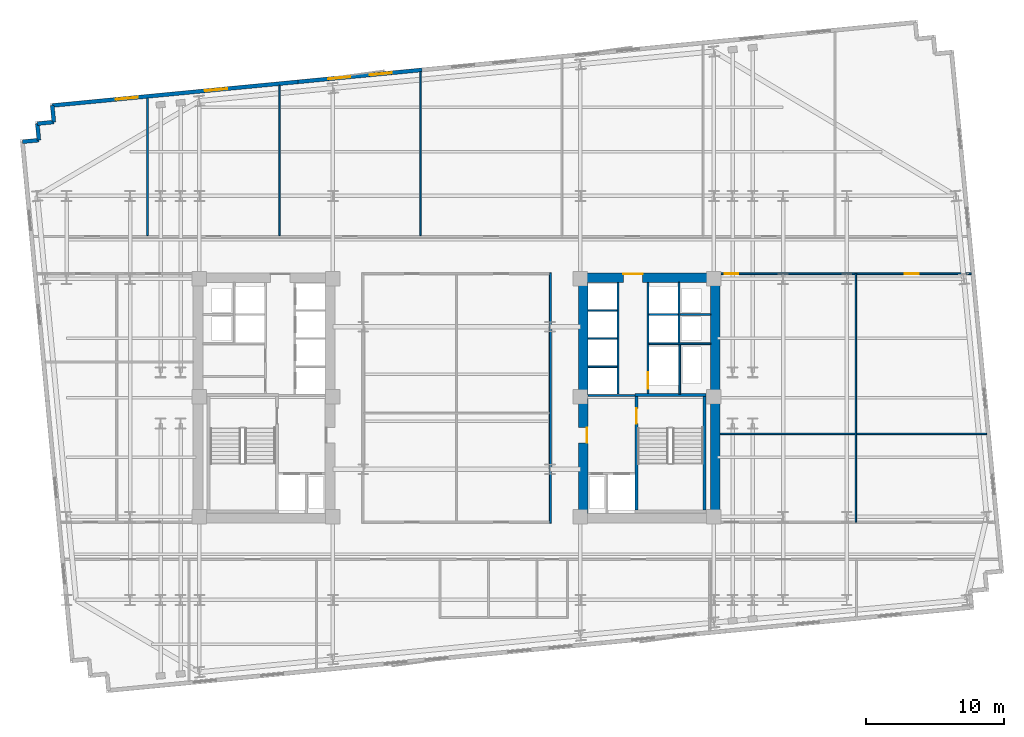
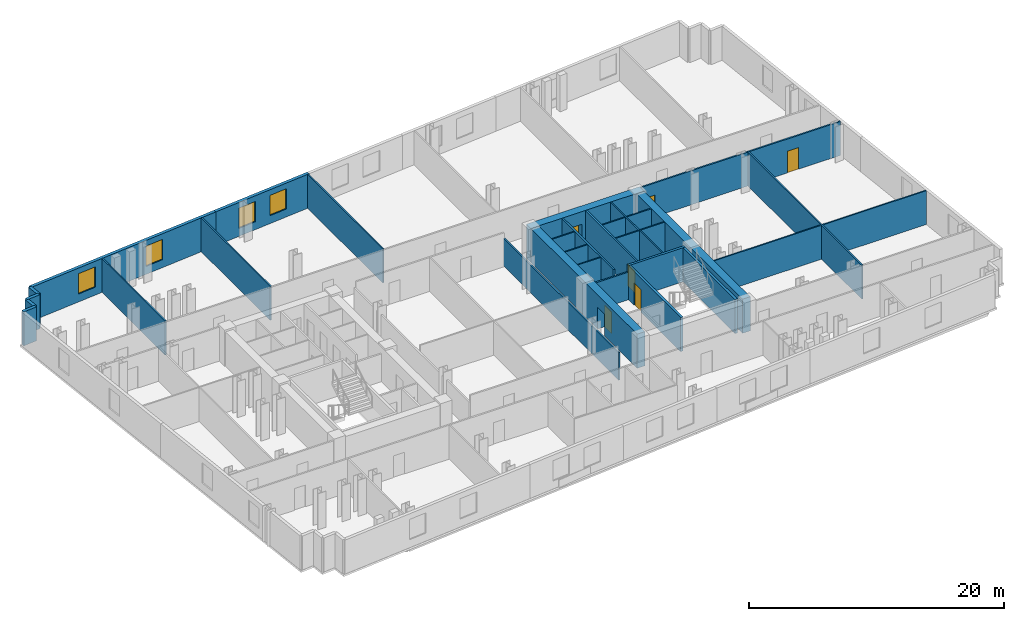
# One storey, part 7 of 11: 30 walls, 6 doors, 4 windows, 10 openings.
"""IFC4 building model written with IfcOpenShell, lengths in metres."""

from ifc_helpers import new_model, si_unit, direction, frame, frame_2d, origin, place, context, subcontext, project, spatial, rectangle, extrude, material, layer, layer_set, type_object, element, fill, save


model = new_model("IFC4")

# Units and contexts
model_context = context("Model", 3, precision=1e-05, world=origin(), true_north=direction((0.0, 1.0)))
body_context = subcontext(model_context, "Body", "Model", "MODEL_VIEW")
ifc_project = project(units=[si_unit("LENGTHUNIT", "METRE"), si_unit("AREAUNIT", "SQUARE_METRE"), si_unit("VOLUMEUNIT", "CUBIC_METRE"), si_unit("PLANEANGLEUNIT", "RADIAN"), si_unit("MASSUNIT", "GRAM", prefix="KILO")], contexts=[model_context])

# Site, building, storey
site_placement = place(None, origin())
site = spatial("IfcSite", under=ifc_project, at=site_placement, CompositionType="ELEMENT")
building_placement = place(site_placement, origin())
building = spatial("IfcBuilding", under=site, at=building_placement, Name="Velakula Bourse", CompositionType="ELEMENT")
storey_placement = place(building_placement, frame((0.0, 0.0, 101.800048828125)))
storey = spatial("IfcBuildingStorey", under=building, at=storey_placement, Name="L27", CompositionType="ELEMENT", Elevation=101.800048828125)

# Wall, opening, door
ifc_material_1 = material(Name="Concrete M50 (fck 50 MPa)", Category="concrete")
ifc_layer_1 = layer(ifc_material_1, 0.2099609375, Name="Concrete M50 (fck 50 MPa)", Category="concrete")
ifc_layer_set_1 = layer_set([ifc_layer_1], Name="Concrete M50 (fck 50 MPa)")
wall_type_1 = type_object("IfcWallType", Name="WL-CORE-210", PredefinedType="SHEAR", material=ifc_layer_set_1)
wall_1_placement = place(storey_placement, frame((12.9951171875, -8.10009765625, 0.0), z_axis=(0.0, 0.0, 1.0), x_axis=(0.0, 1.0, 0.0)))
wall_1 = element("IfcWall", 1, at=wall_1_placement, inside=storey, type_object=wall_type_1, Name="L27 Core E Stairwell Shear Wall IN", PredefinedType="SHEAR", context=body_context, shape_type="SweptSolid", body=[
    extrude(rectangle(XDim=8.2001953125, YDim=0.2099609375, at=frame_2d((4.10009765625, 0.0))), origin(), (0.0, 0.0, 1.0), 3.27001953125),
])
opening_1_placement = place(wall_1_placement, frame((6.25, 0.0, 0.0)))
opening_1 = element("IfcOpeningElement", 2, at=opening_1_placement, cuts=wall_1, Name="Opening D-STE1", PredefinedType="OPENING", context=body_context, shape_type="SweptSolid", body=[
    extrude(rectangle(XDim=1.10009765625, YDim=2.14990234375, at=frame_2d((0.550048828125, 1.074951171875))), frame((0.0, 0.114990234375, 0.0), z_axis=(0.0, -1.0, 0.0), x_axis=(1.0, 0.0, 0.0)), (0.0, 0.0, 1.0), 0.22998046875),
])
ifc_material_2 = material(Name="Galvanised painted hollow steel fire door", Category="steel")
door_type_1 = type_object("IfcDoorType", Name="DR-FD120-1100x2150", OperationType="NOTDEFINED", PredefinedType="DOOR", material=ifc_material_2)
door_1_placement = place(opening_1_placement, origin())
door_1 = element("IfcDoor", 3, at=door_1_placement, inside=storey, type_object=door_type_1, Name="L27 Stair ST-E1 Fire Door", OperationType="SINGLE_SWING_RIGHT", OverallHeight=2.14990234375, OverallWidth=1.10009765625, PredefinedType="DOOR", context=body_context, shape_type="SweptSolid", body=[
    extrude(rectangle(XDim=1.10009765625, YDim=2.14990234375, at=frame_2d((0.550048828125, 1.074951171875))), frame((0.0, 0.02490234375, 0.0), z_axis=(0.0, -1.0, 0.0), x_axis=(1.0, 0.0, 0.0)), (0.0, 0.0, 1.0), 0.050048828125),
])
fill(opening_1, door_1)

# Walls
wall_2_placement = place(storey_placement, frame((17.925048828125, -8.10009765625, 0.0), z_axis=(0.0, 0.0, 1.0), x_axis=(0.0, 1.0, 0.0)))
element("IfcWall", 4, at=wall_2_placement, inside=storey, type_object=wall_type_1, Name="L27 Core E Stairwell Shear Wall OUT", PredefinedType="SHEAR", context=body_context, shape_type="SweptSolid", body=[
    extrude(rectangle(XDim=8.2001953125, YDim=0.2099609375, at=frame_2d((4.10009765625, 0.0))), origin(), (0.0, 0.0, 1.0), 3.27001953125),
])
wall_3_placement = place(storey_placement, frame((18.030029296875, 0.205078125, 0.0), z_axis=(0.0, 0.0, 1.0), x_axis=(-1.0, 0.0, 0.0)))
element("IfcWall", 5, at=wall_3_placement, inside=storey, type_object=wall_type_1, Name="L27 Core E Stairwell Shear Wall N", PredefinedType="SHEAR", context=body_context, shape_type="SweptSolid", body=[
    extrude(rectangle(XDim=5.14013671875, YDim=0.2099609375, at=frame_2d((2.570068359375, 0.0))), origin(), (0.0, 0.0, 1.0), 3.27001953125),
])

# Wall, opening, door
ifc_material_3 = material(Name="Concrete M70 (fck 70 MPa)", Category="concrete")
ifc_layer_2 = layer(ifc_material_3, 0.699951171875, Name="Concrete M70 (fck 70 MPa)", Category="concrete")
ifc_layer_set_2 = layer_set([ifc_layer_2], Name="Concrete M70 (fck 70 MPa)")
wall_type_2 = type_object("IfcWallType", Name="WL-CORE-700", PredefinedType="SHEAR", material=ifc_layer_set_2)
wall_4_placement = place(storey_placement, frame((8.800048828125, 8.699951171875, 0.0), z_axis=(0.0, 0.0, 1.0), x_axis=(1.0, 0.0, 0.0)))
wall_4 = element("IfcWall", 6, at=wall_4_placement, inside=storey, type_object=wall_type_2, Name="L27 Core E Shear Wall N", PredefinedType="SHEAR", context=body_context, shape_type="SweptSolid", body=[
    extrude(rectangle(XDim=10.25, YDim=0.699951171875, at=frame_2d((5.125, 0.0))), origin(), (0.0, 0.0, 1.0), 3.27001953125),
])
opening_2_placement = place(wall_4_placement, frame((3.25, 0.0, 0.0)))
opening_2 = element("IfcOpeningElement", 7, at=opening_2_placement, cuts=wall_4, Name="Opening D-LLE", PredefinedType="OPENING", context=body_context, shape_type="SweptSolid", body=[
    extrude(rectangle(XDim=1.39990234375, YDim=2.050048828125, at=frame_2d((0.699951171875, 1.02490234375))), frame((0.0, 0.35986328125, 0.0), z_axis=(0.0, -1.0, 0.0), x_axis=(1.0, 0.0, 0.0)), (0.0, 0.0, 1.0), 0.719970703125),
])
ifc_material_4 = material(Name="Fire-rated hardwood flush architectural door", Category="wood")
door_type_2 = type_object("IfcDoorType", Name="DR-DBL-FD60-1400", OperationType="DOUBLE_DOOR_SINGLE_SWING", PredefinedType="DOOR", material=ifc_material_4)
door_2_placement = place(opening_2_placement, origin())
door_2 = element("IfcDoor", 8, at=door_2_placement, inside=storey, type_object=door_type_2, Name="L27 Core E Lift Lobby Corridor Double Door", OperationType="DOUBLE_DOOR_SINGLE_SWING", OverallHeight=2.050048828125, OverallWidth=1.39990234375, PredefinedType="DOOR", context=body_context, shape_type="SweptSolid", body=[
    extrude(rectangle(XDim=1.39990234375, YDim=2.050048828125, at=frame_2d((0.699951171875, 1.02490234375))), frame((0.0, 0.294921875, 0.0), z_axis=(0.0, -1.0, 0.0), x_axis=(1.0, 0.0, 0.0)), (0.0, 0.0, 1.0), 0.050048828125),
])
fill(opening_2, door_2)

wall_5_placement = place(storey_placement, frame((9.14990234375, -8.35009765625, 0.0), z_axis=(0.0, 0.0, 1.0), x_axis=(0.0, 1.0, 0.0)))
wall_5 = element("IfcWall", 9, at=wall_5_placement, inside=storey, type_object=wall_type_2, Name="L27 Core E Shear Wall W", PredefinedType="SHEAR", context=body_context, shape_type="SweptSolid", body=[
    extrude(rectangle(XDim=16.7001953125, YDim=0.699951171875, at=frame_2d((8.35009765625, 0.0))), origin(), (0.0, 0.0, 1.0), 3.27001953125),
])
opening_3_placement = place(wall_5_placement, frame((5.10009765625, 0.0, 0.0)))
opening_3 = element("IfcOpeningElement", 10, at=opening_3_placement, cuts=wall_5, Name="Opening D-FLE", PredefinedType="OPENING", context=body_context, shape_type="SweptSolid", body=[
    extrude(rectangle(XDim=1.10009765625, YDim=2.080078125, at=frame_2d((0.550048828125, 1.0400390625))), frame((0.0, 0.35986328125, 0.0), z_axis=(0.0, -1.0, 0.0), x_axis=(1.0, 0.0, 0.0)), (0.0, 0.0, 1.0), 0.719970703125),
])
door_type_3 = type_object("IfcDoorType", Name="DR-FD120-1100", OperationType="NOTDEFINED", PredefinedType="DOOR", material=ifc_material_2)
door_3_placement = place(opening_3_placement, origin())
door_3 = element("IfcDoor", 11, at=door_3_placement, inside=storey, type_object=door_type_3, Name="L27 Firefighting Lobby E Corridor Fire Door", OperationType="SINGLE_SWING_RIGHT", OverallHeight=2.080078125, OverallWidth=1.10009765625, PredefinedType="DOOR", context=body_context, shape_type="SweptSolid", body=[
    extrude(rectangle(XDim=1.10009765625, YDim=2.080078125, at=frame_2d((0.550048828125, 1.0400390625))), frame((0.0, -0.2548828125, 0.0), z_axis=(0.0, -1.0, 0.0), x_axis=(1.0, 0.0, 0.0)), (0.0, 0.0, 1.0), 0.050048828125),
])
fill(opening_3, door_3)

# Wall
wall_6_placement = place(storey_placement, frame((18.699951171875, -8.35009765625, 0.0), z_axis=(0.0, 0.0, 1.0), x_axis=(0.0, 1.0, 0.0)))
element("IfcWall", 12, at=wall_6_placement, inside=storey, type_object=wall_type_2, Name="L27 Core E Shear Wall E", PredefinedType="SHEAR", context=body_context, shape_type="SweptSolid", body=[
    extrude(rectangle(XDim=16.7001953125, YDim=0.699951171875, at=frame_2d((8.35009765625, 0.0))), origin(), (0.0, 0.0, 1.0), 3.27001953125),
])

# Wall, openings, windows
ifc_material_5 = material(Name="Red kilned clay facing brick masonry", Category="masonry")
ifc_layer_3 = layer(ifc_material_5, 0.280029296875, Name="Red kilned clay facing brick masonry", Category="masonry")
ifc_layer_set_3 = layer_set([ifc_layer_3], Name="Red kilned clay facing brick masonry")
wall_type_3 = type_object("IfcWallType", Name="WL-EXT-BRK-280", PredefinedType="STANDARD", material=ifc_layer_set_3)
wall_7_placement = place(storey_placement, frame((-29.2314453125, 21.138427734375, 0.0), z_axis=(0.0, 0.0, 1.0), x_axis=(0.995395780835, 0.095850088663, 0.0)))
wall_7 = element("IfcWall", 13, at=wall_7_placement, inside=storey, type_object=wall_type_3, Name="L27 N Brick Spandrel Wall B1", PredefinedType="STANDARD", context=body_context, shape_type="SweptSolid", body=[
    extrude(rectangle(XDim=17.83984375, YDim=0.280029296875, at=frame_2d((8.919921875, 0.0))), origin(), (0.0, 0.0, 1.0), 3.25),
])
opening_4_placement = place(wall_7_placement, frame((4.5966796875, 0.0, 0.760009765625)))
opening_4 = element("IfcOpeningElement", 14, at=opening_4_placement, cuts=wall_7, Name="Opening W-02", PredefinedType="OPENING", context=body_context, shape_type="SweptSolid", body=[
    extrude(rectangle(XDim=1.60009765625, YDim=1.949951171875, at=frame_2d((0.800048828125, 0.97509765625))), frame((0.0, 0.14990234375, 0.0), z_axis=(0.0, -1.0, 0.0), x_axis=(1.0, 0.0, 0.0)), (0.0, 0.0, 1.0), 0.300048828125),
])
opening_5_placement = place(wall_7_placement, frame((11.09326171875, 0.0, 0.760009765625)))
opening_5 = element("IfcOpeningElement", 15, at=opening_5_placement, cuts=wall_7, Name="Opening W-02", PredefinedType="OPENING", context=body_context, shape_type="SweptSolid", body=[
    extrude(rectangle(XDim=1.60009765625, YDim=1.949951171875, at=frame_2d((0.800048828125, 0.97509765625))), frame((0.0, 0.14990234375, 0.0), z_axis=(0.0, -1.0, 0.0), x_axis=(1.0, 0.0, 0.0)), (0.0, 0.0, 1.0), 0.300048828125),
])
ifc_material_6 = material(Name="Double-glazed solar-control Low-E glass", Category="glass")
window_type = type_object("IfcWindowType", Name="WIN-TWR-1600x2100", PartitioningType="SINGLE_PANEL", PredefinedType="WINDOW", material=ifc_material_6)
window_1_placement = place(opening_4_placement, origin())
window_1 = element("IfcWindow", 16, at=window_1_placement, inside=storey, type_object=window_type, Name="L27 Deep-Set Recessed Window 1", OverallHeight=1.949951171875, OverallWidth=1.60009765625, PartitioningType="SINGLE_PANEL", PredefinedType="WINDOW", context=body_context, shape_type="SweptSolid", body=[
    extrude(rectangle(XDim=1.60009765625, YDim=1.949951171875, at=frame_2d((0.800048828125, 0.97509765625))), frame((0.0, 0.030029296875, 0.0), z_axis=(0.0, -1.0, 0.0), x_axis=(1.0, 0.0, 0.0)), (0.0, 0.0, 1.0), 0.06005859375),
])
fill(opening_4, window_1)
window_2_placement = place(opening_5_placement, origin())
window_2 = element("IfcWindow", 17, at=window_2_placement, inside=storey, type_object=window_type, Name="L27 Deep-Set Recessed Window 2", OverallHeight=1.949951171875, OverallWidth=1.60009765625, PartitioningType="SINGLE_PANEL", PredefinedType="WINDOW", context=body_context, shape_type="SweptSolid", body=[
    extrude(rectangle(XDim=1.60009765625, YDim=1.949951171875, at=frame_2d((0.800048828125, 0.97509765625))), frame((0.0, 0.030029296875, 0.0), z_axis=(0.0, -1.0, 0.0), x_axis=(1.0, 0.0, 0.0)), (0.0, 0.0, 1.0), 0.06005859375),
])
fill(opening_5, window_2)

wall_8_placement = place(storey_placement, frame((-11.4736328125, 22.848388671875, 0.0), z_axis=(0.0, 0.0, 1.0), x_axis=(0.995396794462, 0.09583956164, 0.0)))
wall_8 = element("IfcWall", 18, at=wall_8_placement, inside=storey, type_object=wall_type_3, Name="L27 N Brick Spandrel Wall B2", PredefinedType="STANDARD", context=body_context, shape_type="SweptSolid", body=[
    extrude(rectangle(XDim=9.0, YDim=0.280029296875, at=frame_2d((4.5, 0.0))), origin(), (0.0, 0.0, 1.0), 3.25),
])
opening_6_placement = place(wall_8_placement, frame((2.199951171875, 0.0, 0.760009765625)))
opening_6 = element("IfcOpeningElement", 19, at=opening_6_placement, cuts=wall_8, Name="Opening W-02", PredefinedType="OPENING", context=body_context, shape_type="SweptSolid", body=[
    extrude(rectangle(XDim=1.60009765625, YDim=1.949951171875, at=frame_2d((0.800048828125, 0.97509765625))), frame((0.0, 0.14990234375, 0.0), z_axis=(0.0, -1.0, 0.0), x_axis=(1.0, 0.0, 0.0)), (0.0, 0.0, 1.0), 0.300048828125),
])
opening_7_placement = place(wall_8_placement, frame((5.199951171875, 0.0, 0.760009765625)))
opening_7 = element("IfcOpeningElement", 20, at=opening_7_placement, cuts=wall_8, Name="Opening W-02", PredefinedType="OPENING", context=body_context, shape_type="SweptSolid", body=[
    extrude(rectangle(XDim=1.60009765625, YDim=1.949951171875, at=frame_2d((0.800048828125, 0.97509765625))), frame((0.0, 0.14990234375, 0.0), z_axis=(0.0, -1.0, 0.0), x_axis=(1.0, 0.0, 0.0)), (0.0, 0.0, 1.0), 0.300048828125),
])
window_3_placement = place(opening_6_placement, origin())
window_3 = element("IfcWindow", 21, at=window_3_placement, inside=storey, type_object=window_type, Name="L27 Deep-Set Recessed Window 1", OverallHeight=1.949951171875, OverallWidth=1.60009765625, PartitioningType="SINGLE_PANEL", PredefinedType="WINDOW", context=body_context, shape_type="SweptSolid", body=[
    extrude(rectangle(XDim=1.60009765625, YDim=1.949951171875, at=frame_2d((0.800048828125, 0.97509765625))), frame((0.0, 0.030029296875, 0.0), z_axis=(0.0, -1.0, 0.0), x_axis=(1.0, 0.0, 0.0)), (0.0, 0.0, 1.0), 0.06005859375),
])
fill(opening_6, window_3)
window_4_placement = place(opening_7_placement, origin())
window_4 = element("IfcWindow", 22, at=window_4_placement, inside=storey, type_object=window_type, Name="L27 Deep-Set Recessed Window 2", OverallHeight=1.949951171875, OverallWidth=1.60009765625, PartitioningType="SINGLE_PANEL", PredefinedType="WINDOW", context=body_context, shape_type="SweptSolid", body=[
    extrude(rectangle(XDim=1.60009765625, YDim=1.949951171875, at=frame_2d((0.800048828125, 0.97509765625))), frame((0.0, 0.030029296875, 0.0), z_axis=(0.0, -1.0, 0.0), x_axis=(1.0, 0.0, 0.0)), (0.0, 0.0, 1.0), 0.06005859375),
])
fill(opening_7, window_4)

# Walls
for number, where, z_axis, x_axis, name in (
    (23, (-29.2314453125, 21.138427734375, 0.0), (0.0, 0.0, 1.0), (0.095817067274, -0.995398960025, 0.0), "L27 Serrated Corner Brick Wall NW-1"),
    (24, (-29.116455078125, 19.94384765625, 0.0), (0.0, 0.0, 1.0), (-0.995398960025, -0.095817067274, 0.0), "L27 Serrated Corner Brick Wall NW-2"),
):
    element("IfcWall", number, at=place(storey_placement, frame(where, z_axis=z_axis, x_axis=x_axis)), inside=storey, type_object=wall_type_3, Name=name, PredefinedType="STANDARD", context=body_context, shape_type="SweptSolid", body=[
        extrude(rectangle(XDim=1.2001953125, YDim=0.280029296875, at=frame_2d((0.60009765625, 0.0))), origin(), (0.0, 0.0, 1.0), 3.25),
    ])
for number, where, z_axis, x_axis, name in (
    (25, (-30.31103515625, 19.828857421875, 0.0), (0.0, 0.0, 1.0), (0.095836473879, -0.995397091755, 0.0), "L27 Serrated Corner Brick Wall NW-3"),
    (26, (-30.196044921875, 18.634521484375, 0.0), (0.0, 0.0, 1.0), (-0.995397091755, -0.095836473879, 0.0), "L27 Serrated Corner Brick Wall NW-4"),
):
    element("IfcWall", number, at=place(storey_placement, frame(where, z_axis=z_axis, x_axis=x_axis)), inside=storey, type_object=wall_type_3, Name=name, PredefinedType="STANDARD", context=body_context, shape_type="SweptSolid", body=[
        extrude(rectangle(XDim=1.199951171875, YDim=0.280029296875, at=frame_2d((0.60009765625, 0.0))), origin(), (0.0, 0.0, 1.0), 3.25),
    ])
ifc_material_7 = material(Name="Fire-rated double-layer gypsum drywall partition", Category="gypsum")
ifc_layer_4 = layer(ifc_material_7, 0.1201171875, Name="Fire-rated double-layer gypsum drywall partition", Category="gypsum")
ifc_layer_set_4 = layer_set([ifc_layer_4], Name="Fire-rated double-layer gypsum drywall partition")
wall_type_4 = type_object("IfcWallType", Name="WL-PART-120", PredefinedType="STANDARD", material=ifc_layer_set_4)
for number, where, z_axis, x_axis, name in (
    (27, (9.5, 2.2548828125, 0.0), (0.0, 0.0, 1.0), (1.0, 0.0, 0.0), "L27 Interior Partition WL-CRE-L27-BDIV-0"),
    (28, (9.5, 4.284912109375, 0.0), (0.0, 0.0, 1.0), (1.0, 0.0, 0.0), "L27 Interior Partition WL-CRE-L27-BDIV-1"),
    (29, (9.5, 6.31494140625, 0.0), (0.0, 0.0, 1.0), (1.0, 0.0, 0.0), "L27 Interior Partition WL-CRE-L27-BDIV-2"),
):
    element("IfcWall", number, at=place(storey_placement, frame(where, z_axis=z_axis, x_axis=x_axis)), inside=storey, type_object=wall_type_4, Name=name, PredefinedType="STANDARD", context=body_context, shape_type="SweptSolid", body=[
        extrude(rectangle(XDim=2.10009765625, YDim=0.110107421875, at=frame_2d((1.050048828125, 0.0))), origin(), (0.0, 0.0, 1.0), 3.25),
    ])
wall_9_placement = place(storey_placement, frame((13.89990234375, 3.919921875, 0.0), z_axis=(0.0, 0.0, 1.0), x_axis=(1.0, 0.0, 0.0)))
element("IfcWall", 30, at=wall_9_placement, inside=storey, type_object=wall_type_4, Name="L27 Interior Partition WL-CRE-L27-HI-S", PredefinedType="STANDARD", context=body_context, shape_type="SweptSolid", body=[
    extrude(rectangle(XDim=4.4501953125, YDim=0.1201171875, at=frame_2d((2.22509765625, 0.0))), origin(), (0.0, 0.0, 1.0), 3.25),
])
wall_10_placement = place(storey_placement, frame((16.14990234375, 6.030029296875, 0.0), z_axis=(0.0, 0.0, 1.0), x_axis=(1.0, 0.0, 0.0)))
element("IfcWall", 31, at=wall_10_placement, inside=storey, type_object=wall_type_4, Name="L27 Interior Partition WL-CRE-L27-RIS-MID", PredefinedType="STANDARD", context=body_context, shape_type="SweptSolid", body=[
    extrude(rectangle(XDim=2.2001953125, YDim=0.1201171875, at=frame_2d((1.10009765625, 0.0))), origin(), (0.0, 0.0, 1.0), 3.25),
])
wall_11_placement = place(storey_placement, frame((16.074951171875, 3.97998046875, 0.0), z_axis=(0.0, 0.0, 1.0), x_axis=(0.0, 1.0, 0.0)))
element("IfcWall", 32, at=wall_11_placement, inside=storey, type_object=wall_type_4, Name="L27 Interior Partition WL-CRE-L27-RIS-F", PredefinedType="STANDARD", context=body_context, shape_type="SweptSolid", body=[
    extrude(rectangle(XDim=4.3701171875, YDim=0.1201171875, at=frame_2d((2.18505859375, 0.0))), origin(), (0.0, 0.0, 1.0), 3.25),
])
wall_12_placement = place(storey_placement, frame((13.89990234375, 6.030029296875, 0.0), z_axis=(0.0, 0.0, 1.0), x_axis=(1.0, 0.0, 0.0)))
element("IfcWall", 33, at=wall_12_placement, inside=storey, type_object=wall_type_4, Name="L27 Interior Partition WL-CRE-L27-HI-DIV", PredefinedType="STANDARD", context=body_context, shape_type="SweptSolid", body=[
    extrude(rectangle(XDim=2.10009765625, YDim=0.1201171875, at=frame_2d((1.050048828125, 0.0))), origin(), (0.0, 0.0, 1.0), 3.25),
])
wall_13_placement = place(storey_placement, frame((16.125, 0.27001953125, 0.0), z_axis=(0.0, 0.0, 1.0), x_axis=(0.0, 1.0, 0.0)))
element("IfcWall", 34, at=wall_13_placement, inside=storey, type_object=wall_type_4, Name="L27 Interior Partition WL-CRE-L27-SVL-E", PredefinedType="STANDARD", context=body_context, shape_type="SweptSolid", body=[
    extrude(rectangle(XDim=3.590087890625, YDim=0.1201171875, at=frame_2d((1.794921875, 0.0))), origin(), (0.0, 0.0, 1.0), 3.25),
])
wall_14_placement = place(storey_placement, frame((-22.344970703125, 11.739990234375, 0.0), z_axis=(0.0, 0.0, 1.0), x_axis=(0.0, 1.0, 0.0)))
element("IfcWall", 35, at=wall_14_placement, inside=storey, type_object=wall_type_4, Name="L27 Interior Partition WL-INT-L27-N-D1", PredefinedType="STANDARD", context=body_context, shape_type="SweptSolid", body=[
    extrude(rectangle(XDim=9.94091796875, YDim=0.1201171875, at=frame_2d((4.970458984375, 0.0))), origin(), (0.0, 0.0, 1.0), 3.25),
])
wall_15_placement = place(storey_placement, frame((-12.81591796875, 11.739990234375, 0.0), z_axis=(0.0, 0.0, 1.0), x_axis=(0.0, 1.0, 0.0)))
element("IfcWall", 36, at=wall_15_placement, inside=storey, type_object=wall_type_4, Name="L27 Interior Partition WL-INT-L27-N-D2", PredefinedType="STANDARD", context=body_context, shape_type="SweptSolid", body=[
    extrude(rectangle(XDim=10.8583984375, YDim=0.1201171875, at=frame_2d((5.42919921875, 0.0))), origin(), (0.0, 0.0, 1.0), 3.25),
])
wall_16_placement = place(storey_placement, frame((-2.60595703125, 11.739990234375, 0.0), z_axis=(0.0, 0.0, 1.0), x_axis=(0.0, 1.0, 0.0)))
element("IfcWall", 37, at=wall_16_placement, inside=storey, type_object=wall_type_4, Name="L27 Interior Partition WL-INT-L27-N-D3", PredefinedType="STANDARD", context=body_context, shape_type="SweptSolid", body=[
    extrude(rectangle(XDim=11.841552734375, YDim=0.1201171875, at=frame_2d((5.9208984375, 0.0))), origin(), (0.0, 0.0, 1.0), 3.25),
])
wall_17_placement = place(storey_placement, frame((19.050048828125, -2.60009765625, 0.0), z_axis=(0.0, 0.0, 1.0), x_axis=(1.0, 0.0, 0.0)))
element("IfcWall", 38, at=wall_17_placement, inside=storey, type_object=wall_type_4, Name="L27 Interior Partition WL-INT-L27-E-H", PredefinedType="STANDARD", context=body_context, shape_type="SweptSolid", body=[
    extrude(rectangle(XDim=19.2646484375, YDim=0.1201171875, at=frame_2d((9.63232421875, 0.0))), origin(), (0.0, 0.0, 1.0), 3.25),
])
wall_18_placement = place(storey_placement, frame((28.85888671875, -8.97998046875, 0.0), z_axis=(0.0, 0.0, 1.0), x_axis=(0.0, 1.0, 0.0)))
element("IfcWall", 39, at=wall_18_placement, inside=storey, type_object=wall_type_4, Name="L27 Interior Partition WL-INT-L27-E-V1", PredefinedType="STANDARD", context=body_context, shape_type="SweptSolid", body=[
    extrude(rectangle(XDim=17.9599609375, YDim=0.1201171875, at=frame_2d((8.97998046875, 0.0))), origin(), (0.0, 0.0, 1.0), 3.25),
])

# Wall, openings, doors
ifc_layer_5 = layer(ifc_material_7, 0.139892578125, Name="Fire-rated double-layer gypsum drywall partition", Category="gypsum")
ifc_layer_set_5 = layer_set([ifc_layer_5], Name="Fire-rated double-layer gypsum drywall partition")
wall_type_5 = type_object("IfcWallType", Name="WL-PART-140", PredefinedType="STANDARD", material=ifc_layer_set_5)
wall_19_placement = place(storey_placement, frame((19.050048828125, 8.97998046875, 0.0), z_axis=(0.0, 0.0, 1.0), x_axis=(1.0, 0.0, 0.0)))
wall_19 = element("IfcWall", 40, at=wall_19_placement, inside=storey, type_object=wall_type_5, Name="L27 Interior Partition WL-INT-L27-E-NC", PredefinedType="STANDARD", context=body_context, shape_type="SweptSolid", body=[
    extrude(rectangle(XDim=18.149658203125, YDim=0.139892578125, at=frame_2d((9.07470703125, 0.0))), origin(), (0.0, 0.0, 1.0), 3.25),
])
opening_8_placement = place(wall_19_placement, frame((0.320068359375, 0.0, 0.0)))
opening_8 = element("IfcOpeningElement", 41, at=opening_8_placement, cuts=wall_19, Name="Opening D-OF1", PredefinedType="OPENING", context=body_context, shape_type="SweptSolid", body=[
    extrude(rectangle(XDim=1.0, YDim=2.080078125, at=frame_2d((0.5, 1.0400390625))), frame((0.0, 0.079833984375, 0.0), z_axis=(0.0, -1.0, 0.0), x_axis=(1.0, 0.0, 0.0)), (0.0, 0.0, 1.0), 0.159912109375),
])
opening_9_placement = place(wall_19_placement, frame((13.349365234375, 0.0, 0.0)))
opening_9 = element("IfcOpeningElement", 42, at=opening_9_placement, cuts=wall_19, Name="Opening D-OF1", PredefinedType="OPENING", context=body_context, shape_type="SweptSolid", body=[
    extrude(rectangle(XDim=1.0, YDim=2.080078125, at=frame_2d((0.5, 1.0400390625))), frame((0.0, 0.079833984375, 0.0), z_axis=(0.0, -1.0, 0.0), x_axis=(1.0, 0.0, 0.0)), (0.0, 0.0, 1.0), 0.159912109375),
])
door_type_4 = type_object("IfcDoorType", Name="DR-OFF-1000", OperationType="NOTDEFINED", PredefinedType="DOOR", material=ifc_material_4)
door_4_placement = place(opening_8_placement, origin())
door_4 = element("IfcDoor", 43, at=door_4_placement, inside=storey, type_object=door_type_4, Name="L27 Margin Control Office Door", OperationType="SINGLE_SWING_LEFT", OverallHeight=2.080078125, OverallWidth=1.0, PredefinedType="DOOR", context=body_context, shape_type="SweptSolid", body=[
    extrude(rectangle(XDim=1.0, YDim=2.080078125, at=frame_2d((0.5, 1.0400390625))), frame((0.0, 0.02490234375, 0.0), z_axis=(0.0, -1.0, 0.0), x_axis=(1.0, 0.0, 0.0)), (0.0, 0.0, 1.0), 0.050048828125),
])
fill(opening_8, door_4)
door_5_placement = place(opening_9_placement, origin())
door_5 = element("IfcDoor", 44, at=door_5_placement, inside=storey, type_object=door_type_4, Name="L27 Listing Committee Chamber Door", OperationType="SINGLE_SWING_RIGHT", OverallHeight=2.080078125, OverallWidth=1.0, PredefinedType="DOOR", context=body_context, shape_type="SweptSolid", body=[
    extrude(rectangle(XDim=1.0, YDim=2.080078125, at=frame_2d((0.5, 1.0400390625))), frame((0.0, 0.02490234375, 0.0), z_axis=(0.0, -1.0, 0.0), x_axis=(1.0, 0.0, 0.0)), (0.0, 0.0, 1.0), 0.050048828125),
])
fill(opening_9, door_5)

# Walls
wall_20_placement = place(storey_placement, frame((6.780029296875, -9.050048828125, 0.0), z_axis=(0.0, 0.0, 1.0), x_axis=(0.0, 1.0, 0.0)))
element("IfcWall", 45, at=wall_20_placement, inside=storey, type_object=wall_type_5, Name="L27 Interior Partition WL-INT-L27-MID-E", PredefinedType="STANDARD", context=body_context, shape_type="SweptSolid", body=[
    extrude(rectangle(XDim=18.10009765625, YDim=0.139892578125, at=frame_2d((9.050048828125, 0.0))), origin(), (0.0, 0.0, 1.0), 2.64501953125),
])
ifc_material_8 = material(Name="Autoclaved aerated concrete blockwork masonry", Category="masonry")
ifc_layer_6 = layer(ifc_material_8, 0.14990234375, Name="Autoclaved aerated concrete blockwork masonry", Category="masonry")
ifc_layer_set_6 = layer_set([ifc_layer_6], Name="Autoclaved aerated concrete blockwork masonry")
wall_type_6 = type_object("IfcWallType", Name="WL-SHAFT-150", PredefinedType="STANDARD", material=ifc_layer_set_6)
wall_21_placement = place(storey_placement, frame((9.5, 0.18994140625, 0.0), z_axis=(0.0, 0.0, 1.0), x_axis=(1.0, 0.0, 0.0)))
element("IfcWall", 46, at=wall_21_placement, inside=storey, type_object=wall_type_6, Name="L27 Interior Partition WL-CRE-L27-FF-TOP", PredefinedType="STANDARD", context=body_context, shape_type="SweptSolid", body=[
    extrude(rectangle(XDim=3.389892578125, YDim=0.14990234375, at=frame_2d((1.69482421875, 0.0))), origin(), (0.0, 0.0, 1.0), 2.64501953125),
])
wall_22_placement = place(storey_placement, frame((11.675048828125, 0.27001953125, 0.0), z_axis=(0.0, 0.0, 1.0), x_axis=(0.0, 1.0, 0.0)))
element("IfcWall", 47, at=wall_22_placement, inside=storey, type_object=wall_type_6, Name="L27 Interior Partition WL-CRE-L27-BANK-F", PredefinedType="STANDARD", context=body_context, shape_type="SweptSolid", body=[
    extrude(rectangle(XDim=8.080078125, YDim=0.14990234375, at=frame_2d((4.0400390625, 0.0))), origin(), (0.0, 0.0, 1.0), 3.25),
])

# Wall, opening, door
wall_23_placement = place(storey_placement, frame((13.824951171875, 0.27001953125, 0.0), z_axis=(0.0, 0.0, 1.0), x_axis=(0.0, 1.0, 0.0)))
wall_23 = element("IfcWall", 48, at=wall_23_placement, inside=storey, type_object=wall_type_6, Name="L27 Interior Partition WL-CRE-L27-OUT-F", PredefinedType="STANDARD", context=body_context, shape_type="SweptSolid", body=[
    extrude(rectangle(XDim=8.080078125, YDim=0.14990234375, at=frame_2d((4.0400390625, 0.0))), origin(), (0.0, 0.0, 1.0), 3.25),
])
opening_10_placement = place(wall_23_placement, frame((0.3798828125, 0.0, 0.0)))
opening_10 = element("IfcOpeningElement", 49, at=opening_10_placement, cuts=wall_23, Name="Opening LD-SVL1", PredefinedType="OPENING", context=body_context, shape_type="SweptSolid", body=[
    extrude(rectangle(XDim=1.199951171875, YDim=2.10009765625, at=frame_2d((0.60009765625, 1.050048828125))), frame((0.0, 0.0849609375, 0.0), z_axis=(0.0, -1.0, 0.0), x_axis=(1.0, 0.0, 0.0)), (0.0, 0.0, 1.0), 0.169921875),
])
ifc_material_9 = material(Name="Brushed grade 316 stainless steel", Category="steel")
door_type_5 = type_object("IfcDoorType", Name="DR-SLIDE-LD-1200", OperationType="DOUBLE_DOOR_SLIDING", PredefinedType="DOOR", material=ifc_material_9)
door_6_placement = place(opening_10_placement, origin())
door_6 = element("IfcDoor", 50, at=door_6_placement, inside=storey, type_object=door_type_5, Name="L27 Service Lift SVL-1 Sliding Landing Door", OperationType="DOUBLE_DOOR_SLIDING", OverallHeight=2.10009765625, OverallWidth=1.199951171875, PredefinedType="DOOR", context=body_context, shape_type="SweptSolid", body=[
    extrude(rectangle(XDim=1.199951171875, YDim=2.10009765625, at=frame_2d((0.60009765625, 1.050048828125))), frame((0.0, 0.02490234375, 0.0), z_axis=(0.0, -1.0, 0.0), x_axis=(1.0, 0.0, 0.0)), (0.0, 0.0, 1.0), 0.050048828125),
])
fill(opening_10, door_6)

save(model, "model.ifc")
